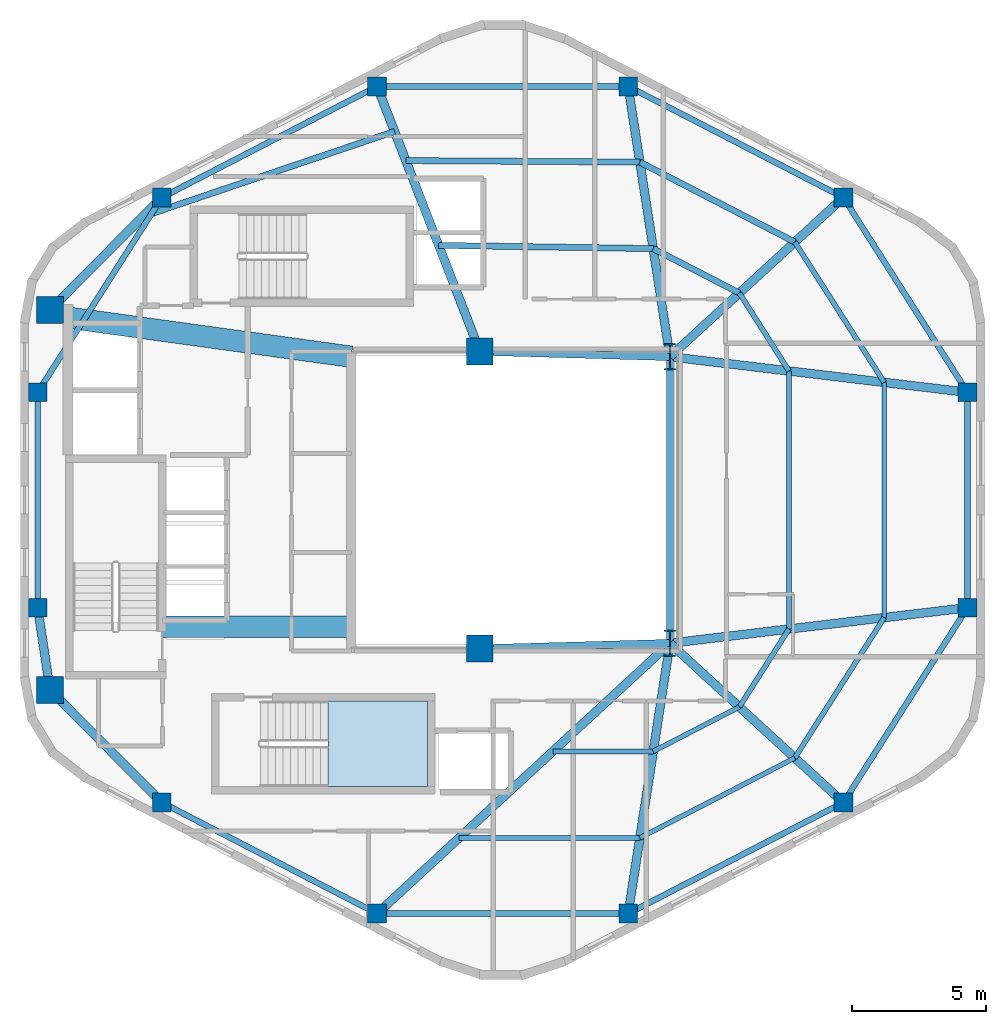
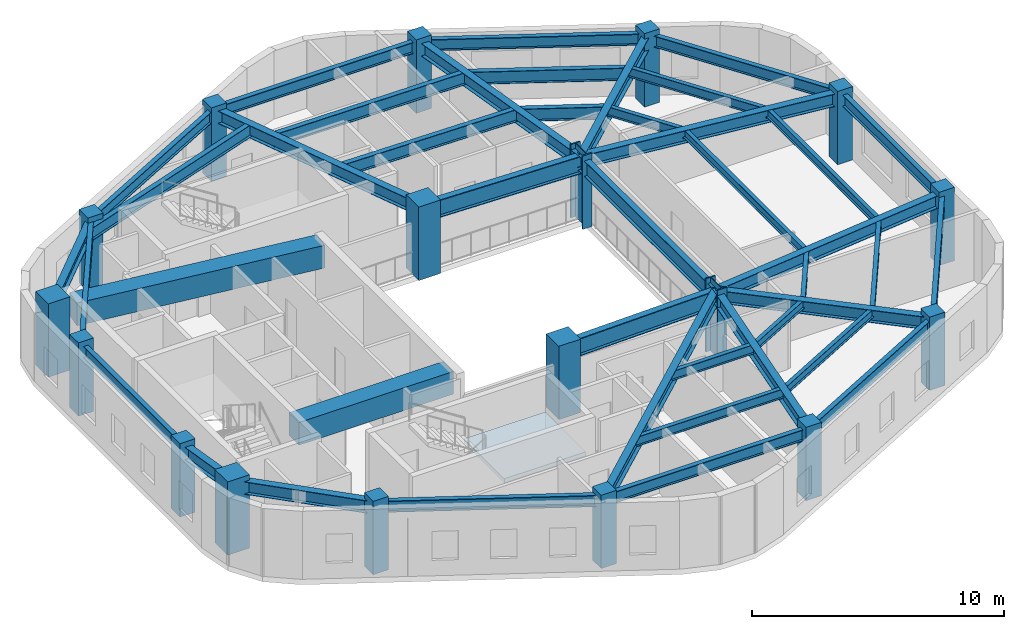
# One storey, part 1 of 6: 42 beams, 18 columns, 1 slab, 1 element without a shape of its own.
"""IFC4 building model written with IfcOpenShell, lengths in metres."""

import ifcopenshell
import ifcopenshell.guid

model = None  # the IFC model being written
_history = None  # IfcOwnerHistory: only IFC2X3 demands one
_inside = {}  # id of a spatial element -> (the spatial element, [elements in it])
_under = {}  # id of a project, library or spatial element -> (it, [spatial elements below it])
_declared = {}  # id of a project -> (the project, [libraries it declares])
_typed = {}  # id of a type object -> (the type object, [elements of that type])
_made_of = {}  # id of a material, layer set ... -> (it, [elements and type objects made of it])


def new_model(schema):
    """Start an empty IFC model of exactly this schema.

    Asked for "IFC4X3", IfcOpenShell would pick the latest addendum, in which some entities
    have other attributes; the version numbers below select the first issue.
    IFC2X3 requires an IfcOwnerHistory on every rooted entity: one is made here for all.
    """
    global model, _history
    if schema == "IFC4X3":
        model = ifcopenshell.file(schema_version=(4, 3, 0, 0))
    else:
        model = ifcopenshell.file(schema=schema)
    _inside.clear()
    _under.clear()
    _declared.clear()
    _typed.clear()
    _made_of.clear()
    _history = None
    if model.schema == "IFC2X3":
        org = make("IfcOrganization", Name="unknown")
        user = make(
            "IfcPersonAndOrganization",
            ThePerson=make("IfcPerson", FamilyName="unknown"),
            TheOrganization=org,
        )
        app = make(
            "IfcApplication",
            ApplicationDeveloper=org,
            Version="unknown",
            ApplicationFullName="unknown",
            ApplicationIdentifier="unknown",
        )
        _history = make(
            "IfcOwnerHistory",
            OwningUser=user,
            OwningApplication=app,
            ChangeAction="ADDED",
            CreationDate=0,
        )
    return model


def make(cls, **values):
    """One entity of the class cls with the attributes given. An attribute that is None is left unset."""
    return model.create_entity(
        cls, **{name: value for name, value in values.items() if value is not None}
    )


def rooted(cls, **values):
    """An entity with a GlobalId (a new one), such as an element, a storey or a relation."""
    return make(cls, GlobalId=ifcopenshell.guid.new(), OwnerHistory=_history, **values)


def si_unit(unit_type, name, prefix=None):
    """IfcSIUnit, for example si_unit("LENGTHUNIT", "METRE", prefix="MILLI")."""
    return make("IfcSIUnit", UnitType=unit_type, Prefix=prefix, Name=name)


def assignment(units):
    """IfcUnitAssignment: the units of a project."""
    return None if units is None else make("IfcUnitAssignment", Units=units)


def point(xyz):
    """IfcCartesianPoint."""
    return None if xyz is None else make("IfcCartesianPoint", Coordinates=xyz)


def direction(xyz):
    """IfcDirection."""
    return None if xyz is None else make("IfcDirection", DirectionRatios=xyz)


def frame(location, z_axis=None, x_axis=None):
    """IfcAxis2Placement3D, a coordinate frame: its origin and axes. An axis left out is left unset."""
    return make(
        "IfcAxis2Placement3D",
        Location=point(location),
        Axis=direction(z_axis),
        RefDirection=direction(x_axis),
    )


def frame_2d(location, x_axis=None):
    """IfcAxis2Placement2D, a coordinate frame in the plane: its origin and x axis."""
    return make(
        "IfcAxis2Placement2D", Location=point(location), RefDirection=direction(x_axis)
    )


def origin():
    """The frame at (0, 0, 0) with its axes left unset."""
    return frame((0.0, 0.0, 0.0))


def origin_2d():
    """The frame at (0, 0) in the plane with its x axis left unset."""
    return frame_2d((0.0, 0.0))


def place(relative_to, where):
    """IfcLocalPlacement: puts the frame where relative to a parent placement (None: the world)."""
    return make(
        "IfcLocalPlacement", PlacementRelTo=relative_to, RelativePlacement=where
    )


def context(
    kind, dimensions, precision=None, world=None, true_north=None, identifier=None
):
    """IfcGeometricRepresentationContext, for example the 3D "Model" context."""
    return make(
        "IfcGeometricRepresentationContext",
        ContextIdentifier=identifier,
        ContextType=kind,
        CoordinateSpaceDimension=dimensions,
        Precision=precision,
        WorldCoordinateSystem=world,
        TrueNorth=true_north,
    )


def subcontext(parent, identifier, kind, view, scale=None):
    """IfcGeometricRepresentationSubContext, for example "Body" below "Model"."""
    return make(
        "IfcGeometricRepresentationSubContext",
        ContextIdentifier=identifier,
        ContextType=kind,
        ParentContext=parent,
        TargetScale=scale,
        TargetView=view,
    )


def project(units=None, contexts=None):
    """IfcProject with its units and contexts."""
    return rooted(
        "IfcProject",
        Name="project",
        RepresentationContexts=contexts,
        UnitsInContext=assignment(units),
    )


def spatial(cls, under=None, at=None, **own):
    """A site, building, storey or space (cls), placed at a placement, below another one or the project."""
    s = rooted(cls, ObjectPlacement=at, **own)
    if under is not None:
        _under.setdefault(under.id(), (under, []))[1].append(s)
    return s


def polyline(points):
    """IfcPolyline through the points."""
    return make("IfcPolyline", Points=[point(p) for p in points])


def profile(cls, at=None, kind="AREA", **sizes):
    """A parametric profile (cls). Its sizes go by their IFC names, for example OverallWidth=200.0."""
    return make(cls, ProfileType=kind, Position=at, **sizes)


def rectangle(**sizes):
    """IfcRectangleProfileDef."""
    return profile("IfcRectangleProfileDef", **sizes)


def i_section(**sizes):
    """IfcIShapeProfileDef."""
    return profile("IfcIShapeProfileDef", **sizes)


def outline(outer, holes=None, kind="AREA"):
    """IfcArbitraryClosedProfileDef: a profile drawn as a closed curve; with holes, ...WithVoids."""
    if holes is None:
        return make("IfcArbitraryClosedProfileDef", ProfileType=kind, OuterCurve=outer)
    return make(
        "IfcArbitraryProfileDefWithVoids",
        ProfileType=kind,
        OuterCurve=outer,
        InnerCurves=holes,
    )


def extrude(swept, where, along, depth):
    """IfcExtrudedAreaSolid: the profile swept, set in the frame where, extruded along a direction by depth."""
    return make(
        "IfcExtrudedAreaSolid",
        SweptArea=swept,
        Position=where,
        ExtrudedDirection=direction(along),
        Depth=depth,
    )


def shape(context_of_items, identifier, shape_type, items):
    """IfcShapeRepresentation: the items that make up one representation, for example the "Body"."""
    return make(
        "IfcShapeRepresentation",
        ContextOfItems=context_of_items,
        RepresentationIdentifier=identifier,
        RepresentationType=shape_type,
        Items=items,
    )


def material(Name=None, Category=None):
    """IfcMaterial."""
    return make("IfcMaterial", Name=Name, Category=Category)


def layer(
    of_material, thickness, ventilated=None, Name=None, Category=None, Priority=None
):
    """IfcMaterialLayer: one layer of a wall or slab, of a material (None: an air gap)."""
    return make(
        "IfcMaterialLayer",
        Material=of_material,
        LayerThickness=thickness,
        IsVentilated=ventilated,
        Name=Name,
        Category=Category,
        Priority=Priority,
    )


def layer_set(layers, Name=None):
    """IfcMaterialLayerSet."""
    return make("IfcMaterialLayerSet", MaterialLayers=layers, LayerSetName=Name)


def material_profile(
    of_material, cross_section, Name=None, Category=None, Priority=None
):
    """IfcMaterialProfile: a cross section and its material."""
    return make(
        "IfcMaterialProfile",
        Name=Name,
        Material=of_material,
        Profile=cross_section,
        Priority=Priority,
        Category=Category,
    )


def profile_set(profiles, Name=None, composite=None):
    """IfcMaterialProfileSet."""
    return make(
        "IfcMaterialProfileSet",
        Name=Name,
        MaterialProfiles=profiles,
        CompositeProfile=composite,
    )


def made_of(thing, what):
    """Note that an element or type object is made of a material, layer set ...; save() writes the relation."""
    if what is not None:
        _made_of.setdefault(what.id(), (what, []))[1].append(thing)
    return thing


def type_object(cls, material=None, **own):
    """A type object (cls), such as IfcWallType, which elements share."""
    return made_of(rooted(cls, **own), material)


def element(
    cls,
    number,
    at=None,
    inside=None,
    cuts=None,
    type_object=None,
    material=None,
    context=None,
    identifier="Body",
    shape_type=None,
    held_by="IfcProductDefinitionShape",
    body=None,
    shapes=None,
    **own,
):
    """One element of the class cls, such as IfcWall. Its Tag is "e" and its number.

    at: its placement. inside: the storey or other place that contains it. cuts: it is an
    opening in that element (IfcRelVoidsElement). A single representation is given by context,
    identifier, shape_type and body (its items); several are given by shapes. held_by: the class
    of the entity that holds the representations. save() writes the other relations.
    """
    e = rooted(cls, Tag="e%d" % number, ObjectPlacement=at, **own)
    if body is not None:
        shapes = [shape(context, identifier, shape_type, body)]
    if shapes is not None:
        e.Representation = make(held_by, Representations=shapes)
    if inside is not None:
        _inside.setdefault(inside.id(), (inside, []))[1].append(e)
    if cuts is not None:
        rooted(
            "IfcRelVoidsElement", RelatingBuildingElement=cuts, RelatedOpeningElement=e
        )
    if type_object is not None:
        _typed.setdefault(type_object.id(), (type_object, []))[1].append(e)
    return made_of(e, material)


def aggregate(whole, parts):
    """IfcRelAggregates: a whole, such as a stair, and the parts it consists of."""
    return rooted("IfcRelAggregates", RelatingObject=whole, RelatedObjects=parts)


def save(model, path):
    """Write the relations noted so far, then the file.

    IfcRelAggregates (storeys below a building ...), IfcRelContainedInSpatialStructure (elements
    in a storey), IfcRelDefinesByType, IfcRelAssociatesMaterial and IfcRelDeclares: one each for
    every whole, place, type object, material and project.
    """
    for whole, parts in _under.values():
        aggregate(whole, parts)
    for where, things in _inside.values():
        rooted(
            "IfcRelContainedInSpatialStructure",
            RelatedElements=things,
            RelatingStructure=where,
        )
    for kind, things in _typed.values():
        rooted("IfcRelDefinesByType", RelatedObjects=things, RelatingType=kind)
    for what, things in _made_of.values():
        rooted("IfcRelAssociatesMaterial", RelatedObjects=things, RelatingMaterial=what)
    for by, libraries in _declared.values():
        rooted("IfcRelDeclares", RelatingContext=by, RelatedDefinitions=libraries)
    model.write(path)


model = new_model("IFC4")

# Units and contexts
model_context = context("Model", 3, precision=1e-05, world=origin(), true_north=direction((0.0, 1.0)))
body_context = subcontext(model_context, "Body", "Model", "MODEL_VIEW")
ifc_project = project(units=[si_unit("LENGTHUNIT", "METRE"), si_unit("AREAUNIT", "SQUARE_METRE"), si_unit("VOLUMEUNIT", "CUBIC_METRE"), si_unit("PLANEANGLEUNIT", "RADIAN"), si_unit("MASSUNIT", "GRAM", prefix="KILO"), si_unit("THERMODYNAMICTEMPERATUREUNIT", "KELVIN"), si_unit("POWERUNIT", "WATT")], contexts=[model_context])

# Site, building, storey
site_placement = place(None, origin())
site = spatial("IfcSite", under=ifc_project, at=site_placement, CompositionType="ELEMENT")
building_placement = place(site_placement, origin())
building = spatial("IfcBuilding", under=site, at=building_placement, Name="Skarre Station Tower", CompositionType="ELEMENT")
storey_placement = place(building_placement, frame((0.0, 0.0, 259.64990234375)))
storey = spatial("IfcBuildingStorey", under=building, at=storey_placement, Name="L71", CompositionType="ELEMENT", Elevation=259.64990234375)

# Columns
ifc_material_1 = material(Name="Concrete C60/75", Category="concrete")
ifc_material_profile_1 = material_profile(ifc_material_1, rectangle(XDim=1.0, YDim=1.0, at=origin_2d()), Name="Concrete C60/75")
ifc_profile_set_1 = profile_set([ifc_material_profile_1], Name="Concrete C60/75")
column_type_1 = type_object("IfcColumnType", Name="RC Structural Column RC-COL-1000X1000", PredefinedType="COLUMN", material=ifc_profile_set_1)
for number, where, z_axis, x_axis, name in (
    (1, (16.300048828125, 16.89990234375, 0.0), (0.0, 0.0, 1.0), (1.0, 0.0, 0.0), "L71 Core Column CC-SW"),
    (2, (16.300048828125, 31.10009765625, 0.0), (0.0, 0.0, 1.0), (1.0, 0.0, 0.0), "L71 Core Column CC-NW"),
    (3, (32.35009765625, 18.449951171875, 0.0), (0.0, 0.0, 1.0), (1.0, 0.0, 0.0), "L71 Core Column CC-SE"),
    (4, (32.35009765625, 29.550048828125, 0.0), (0.0, 0.0, 1.0), (1.0, 0.0, 0.0), "L71 Core Column CC-NE"),
):
    element("IfcColumn", number, at=place(storey_placement, frame(where, z_axis=z_axis, x_axis=x_axis)), inside=storey, type_object=column_type_1, Name=name, PredefinedType="COLUMN", context=body_context, shape_type="SweptSolid", body=[
        extrude(rectangle(XDim=1.0, YDim=1.0, at=origin_2d()), origin(), (0.0, 0.0, 1.0), 3.550048828125),
    ])
ifc_material_2 = material(Name="Concrete C50/60", Category="concrete")
ifc_material_profile_2 = material_profile(ifc_material_2, rectangle(XDim=0.699951171875, YDim=0.699951171875, at=origin_2d()), Name="Concrete C50/60")
ifc_profile_set_2 = profile_set([ifc_material_profile_2], Name="Concrete C50/60")
column_type_2 = type_object("IfcColumnType", Name="RC Structural Column RC-COL-700X700", PredefinedType="COLUMN", material=ifc_profile_set_2)
for number, where, z_axis, x_axis, name in (
    (5, (45.927001953125, 35.298095703125, 0.0), (0.0, 0.0, 1.0), (1.0, 0.0, 0.0), "L71 Zone 4 Perimeter Column F0C1"),
    (6, (37.888916015625, 39.447021484375, 0.0), (0.0, 0.0, 1.0), (1.0, 0.0, 0.0), "L71 Zone 4 Perimeter Column F0C2"),
    (7, (28.510986328125, 39.447021484375, 0.0), (0.0, 0.0, 1.0), (1.0, 0.0, 0.0), "L71 Zone 4 Perimeter Column F1C1"),
    (8, (20.472900390625, 35.298095703125, 0.0), (0.0, 0.0, 1.0), (1.0, 0.0, 0.0), "L71 Zone 4 Perimeter Column F1C2"),
    (9, (15.8369140625, 28.02099609375, 0.0), (0.0, 0.0, 1.0), (1.0, 0.0, 0.0), "L71 Zone 4 Perimeter Column F2C1"),
    (10, (15.8369140625, 19.97900390625, 0.0), (0.0, 0.0, 1.0), (1.0, 0.0, 0.0), "L71 Zone 4 Perimeter Column F2C2"),
    (11, (20.472900390625, 12.701904296875, 0.0), (0.0, 0.0, 1.0), (1.0, 0.0, 0.0), "L71 Zone 4 Perimeter Column F3C1"),
    (12, (28.510986328125, 8.552978515625, 0.0), (0.0, 0.0, 1.0), (1.0, 0.0, 0.0), "L71 Zone 4 Perimeter Column F3C2"),
    (13, (37.888916015625, 8.552978515625, 0.0), (0.0, 0.0, 1.0), (1.0, 0.0, 0.0), "L71 Zone 4 Perimeter Column F4C1"),
    (14, (45.927001953125, 12.701904296875, 0.0), (0.0, 0.0, 1.0), (1.0, 0.0, 0.0), "L71 Zone 4 Perimeter Column F4C2"),
    (15, (50.56298828125, 19.97900390625, 0.0), (0.0, 0.0, 1.0), (1.0, 0.0, 0.0), "L71 Zone 4 Perimeter Column F5C1"),
    (16, (50.56298828125, 28.02099609375, 0.0), (0.0, 0.0, 1.0), (1.0, 0.0, 0.0), "L71 Zone 4 Perimeter Column F5C2"),
):
    element("IfcColumn", number, at=place(storey_placement, frame(where, z_axis=z_axis, x_axis=x_axis)), inside=storey, type_object=column_type_2, Name=name, PredefinedType="COLUMN", context=body_context, shape_type="SweptSolid", body=[
        extrude(rectangle(XDim=0.699951171875, YDim=0.699951171875, at=origin_2d()), origin(), (0.0, 0.0, 1.0), 3.550048828125),
    ])
ifc_material_3 = material(Name="Steel ASTM A913 Grade 65", Category="steel")
ifc_material_profile_3 = material_profile(ifc_material_3, i_section(OverallWidth=0.430908203125, OverallDepth=0.987060546875, WebThickness=0.033935546875, FlangeThickness=0.06201171875, at=origin_2d()), Name="Steel ASTM A913 Grade 65")
ifc_profile_set_3 = profile_set([ifc_material_profile_3], Name="Steel ASTM A913 Grade 65")
column_type_3 = type_object("IfcColumnType", Name="Steel Column W36X441", PredefinedType="COLUMN", material=ifc_profile_set_3)
for number, where, z_axis, x_axis, name in (
    (17, (39.449951171875, 18.64990234375, 0.0), (0.0, 0.0, 1.0), (1.0, 0.0, 0.0), "L71 Atrium Spine Column AC-SE"),
    (18, (39.449951171875, 29.35009765625, 0.0), (0.0, 0.0, 1.0), (1.0, 0.0, 0.0), "L71 Atrium Spine Column AC-NE"),
):
    element("IfcColumn", number, at=place(storey_placement, frame(where, z_axis=z_axis, x_axis=x_axis)), inside=storey, type_object=column_type_3, Name=name, PredefinedType="COLUMN", context=body_context, shape_type="SweptSolid", body=[
        extrude(i_section(OverallWidth=0.430908203125, OverallDepth=0.987060546875, WebThickness=0.033935546875, FlangeThickness=0.06201171875, at=origin_2d()), origin(), (0.0, 0.0, 1.0), 3.550048828125),
    ])

# Beams
ifc_material_4 = material(Name="Concrete C70/85", Category="concrete")
ifc_material_profile_4 = material_profile(ifc_material_4, rectangle(XDim=0.800048828125, YDim=1.10009765625, at=origin_2d()), Name="Concrete C70/85")
ifc_profile_set_4 = profile_set([ifc_material_profile_4], Name="Concrete C70/85")
beam_type_1 = type_object("IfcBeamType", Name="RC Core Coupling Lintel 800x1100", PredefinedType="LINTEL", material=ifc_profile_set_4)
beam_1_placement = place(storey_placement, frame((20.489990234375, 19.260009765625, 2.739990234375), z_axis=(1.0, 0.0, 0.0), x_axis=(0.0, 1.0, 0.0)))
element("IfcBeam", 19, at=beam_1_placement, inside=storey, type_object=beam_type_1, Name="L71 South Core Coupling Lintel", PredefinedType="LINTEL", context=body_context, shape_type="SweptSolid", body=[
    extrude(rectangle(XDim=0.800048828125, YDim=1.10009765625, at=origin_2d()), origin(), (0.0, 0.0, 1.0), 7.06005859375),
])
beam_2_placement = place(storey_placement, frame((17.050048828125, 30.800048828125, 2.739990234375), z_axis=(0.990599723633, -0.136792498109, 0.0), x_axis=(0.136792498109, 0.990599723633, 0.0)))
element("IfcBeam", 20, at=beam_2_placement, inside=storey, type_object=beam_type_1, Name="L71 North Core Coupling Lintel", PredefinedType="LINTEL", context=body_context, shape_type="SweptSolid", body=[
    extrude(rectangle(XDim=0.800048828125, YDim=1.10009765625, at=origin_2d()), origin(), (0.0, 0.0, 1.0), 10.599609375),
])
ifc_material_5 = material(Name="Steel ASTM A992 Grade 50", Category="steel")
ifc_material_profile_5 = material_profile(ifc_material_5, i_section(OverallWidth=0.323974609375, OverallDepth=0.611083984375, WebThickness=0.012939453125, FlangeThickness=0.01904296875, at=origin_2d()), Name="Steel ASTM A992 Grade 50")
ifc_profile_set_5 = profile_set([ifc_material_profile_5], Name="Steel ASTM A992 Grade 50")
beam_type_2 = type_object("IfcBeamType", Name="Steel Beam W24X104", PredefinedType="BEAM", material=ifc_profile_set_5)
beam_3_placement = place(storey_placement, frame((39.449951171875, 29.35009765625, 2.985107421875), z_axis=(0.736547671183, 0.676385635621, 0.0), x_axis=(-0.676385635621, 0.736547671183, 0.0)))
element("IfcBeam", 21, at=beam_3_placement, inside=storey, type_object=beam_type_2, Name="L71 Radial Floor Girder F0C1", PredefinedType="BEAM", context=body_context, shape_type="SweptSolid", body=[
    extrude(i_section(OverallWidth=0.323974609375, OverallDepth=0.611083984375, WebThickness=0.012939453125, FlangeThickness=0.01904296875, at=origin_2d()), origin(), (0.0, 0.0, 1.0), 8.793701171875),
])
beam_4_placement = place(storey_placement, frame((39.449951171875, 29.35009765625, 2.985107421875), z_axis=(-0.152789762931, 0.988258715288, 0.0), x_axis=(-0.988258715288, -0.152789762931, 0.0)))
element("IfcBeam", 22, at=beam_4_placement, inside=storey, type_object=beam_type_2, Name="L71 Radial Floor Girder F0C2", PredefinedType="BEAM", context=body_context, shape_type="SweptSolid", body=[
    extrude(i_section(OverallWidth=0.323974609375, OverallDepth=0.611083984375, WebThickness=0.012939453125, FlangeThickness=0.01904296875, at=origin_2d()), origin(), (0.0, 0.0, 1.0), 10.216796875),
])
beam_5_placement = place(storey_placement, frame((32.35009765625, 29.550048828125, 2.985107421875), z_axis=(-0.361651478681, 0.932313363611, 0.0), x_axis=(-0.932313363611, -0.361651478681, 0.0)))
element("IfcBeam", 23, at=beam_5_placement, inside=storey, type_object=beam_type_2, Name="L71 Radial Floor Girder F1C1", PredefinedType="BEAM", context=body_context, shape_type="SweptSolid", body=[
    extrude(i_section(OverallWidth=0.323974609375, OverallDepth=0.611083984375, WebThickness=0.012939453125, FlangeThickness=0.01904296875, at=origin_2d()), origin(), (0.0, 0.0, 1.0), 10.615478515625),
])
beam_6_placement = place(storey_placement, frame((16.300048828125, 31.10009765625, 2.985107421875), z_axis=(0.704979413242, 0.709227768002, 0.0), x_axis=(-0.709227768002, 0.704979413242, 0.0)))
element("IfcBeam", 24, at=beam_6_placement, inside=storey, type_object=beam_type_2, Name="L71 Radial Floor Girder F1C2", PredefinedType="BEAM", context=body_context, shape_type="SweptSolid", body=[
    extrude(i_section(OverallWidth=0.323974609375, OverallDepth=0.611083984375, WebThickness=0.012939453125, FlangeThickness=0.01904296875, at=origin_2d()), origin(), (0.0, 0.0, 1.0), 5.919189453125),
])
beam_7_placement = place(storey_placement, frame((16.300048828125, 16.89990234375, 2.985107421875), z_axis=(-0.148739188492, 0.988876460336, 0.0), x_axis=(-0.988876460336, -0.148739188492, 0.0)))
element("IfcBeam", 25, at=beam_7_placement, inside=storey, type_object=beam_type_2, Name="L71 Radial Floor Girder F2C2", PredefinedType="BEAM", context=body_context, shape_type="SweptSolid", body=[
    extrude(i_section(OverallWidth=0.323974609375, OverallDepth=0.611083984375, WebThickness=0.012939453125, FlangeThickness=0.01904296875, at=origin_2d()), origin(), (0.0, 0.0, 1.0), 3.11376953125),
])
beam_8_placement = place(storey_placement, frame((16.300048828125, 16.89990234375, 2.985107421875), z_axis=(0.704979413242, -0.709227768002, 0.0), x_axis=(0.709227768002, 0.704979413242, 0.0)))
element("IfcBeam", 26, at=beam_8_placement, inside=storey, type_object=beam_type_2, Name="L71 Radial Floor Girder F3C1", PredefinedType="BEAM", context=body_context, shape_type="SweptSolid", body=[
    extrude(i_section(OverallWidth=0.323974609375, OverallDepth=0.611083984375, WebThickness=0.012939453125, FlangeThickness=0.01904296875, at=origin_2d()), origin(), (0.0, 0.0, 1.0), 5.919189453125),
])
beam_9_placement = place(storey_placement, frame((39.449951171875, 18.64990234375, 2.985107421875), z_axis=(-0.734822935818, -0.678258986668, 0.0), x_axis=(0.678258986668, -0.734822935818, 0.0)))
element("IfcBeam", 27, at=beam_9_placement, inside=storey, type_object=beam_type_2, Name="L71 Radial Floor Girder F3C2", PredefinedType="BEAM", context=body_context, shape_type="SweptSolid", body=[
    extrude(i_section(OverallWidth=0.323974609375, OverallDepth=0.611083984375, WebThickness=0.012939453125, FlangeThickness=0.01904296875, at=origin_2d()), origin(), (0.0, 0.0, 1.0), 14.886474609375),
])
beam_10_placement = place(storey_placement, frame((39.449951171875, 18.64990234375, 2.985107421875), z_axis=(-0.152789762931, -0.988258715288, 0.0), x_axis=(0.988258715288, -0.152789762931, 0.0)))
element("IfcBeam", 28, at=beam_10_placement, inside=storey, type_object=beam_type_2, Name="L71 Radial Floor Girder F4C1", PredefinedType="BEAM", context=body_context, shape_type="SweptSolid", body=[
    extrude(i_section(OverallWidth=0.323974609375, OverallDepth=0.611083984375, WebThickness=0.012939453125, FlangeThickness=0.01904296875, at=origin_2d()), origin(), (0.0, 0.0, 1.0), 10.216796875),
])
beam_11_placement = place(storey_placement, frame((39.449951171875, 18.64990234375, 2.985107421875), z_axis=(0.736547671183, -0.676385635621, 0.0), x_axis=(0.676385635621, 0.736547671183, 0.0)))
element("IfcBeam", 29, at=beam_11_placement, inside=storey, type_object=beam_type_2, Name="L71 Radial Floor Girder F4C2", PredefinedType="BEAM", context=body_context, shape_type="SweptSolid", body=[
    extrude(i_section(OverallWidth=0.323974609375, OverallDepth=0.611083984375, WebThickness=0.012939453125, FlangeThickness=0.01904296875, at=origin_2d()), origin(), (0.0, 0.0, 1.0), 8.793701171875),
])
for number, where, z_axis, x_axis, name in (
    (30, (39.449951171875, 18.64990234375, 2.985107421875), (0.99292393128, 0.118752122891, 0.0), (-0.118752122891, 0.99292393128, 0.0), "L71 Radial Floor Girder F5C1"),
    (31, (39.449951171875, 29.35009765625, 2.985107421875), (0.99292393128, -0.118752122891, 0.0), (0.118752122891, 0.99292393128, 0.0), "L71 Radial Floor Girder F5C2"),
):
    element("IfcBeam", number, at=place(storey_placement, frame(where, z_axis=z_axis, x_axis=x_axis)), inside=storey, type_object=beam_type_2, Name=name, PredefinedType="BEAM", context=body_context, shape_type="SweptSolid", body=[
        extrude(i_section(OverallWidth=0.323974609375, OverallDepth=0.611083984375, WebThickness=0.012939453125, FlangeThickness=0.01904296875, at=origin_2d()), origin(), (0.0, 0.0, 1.0), 11.192138671875),
    ])
ifc_material_profile_6 = material_profile(ifc_material_5, i_section(OverallWidth=0.26806640625, OverallDepth=0.77001953125, WebThickness=0.01611328125, FlangeThickness=0.02490234375, at=origin_2d()), Name="Steel ASTM A992 Grade 50")
ifc_profile_set_6 = profile_set([ifc_material_profile_6], Name="Steel ASTM A992 Grade 50")
beam_type_3 = type_object("IfcBeamType", Name="Steel Beam W30X132", PredefinedType="BEAM", material=ifc_profile_set_6)
beam_12_placement = place(storey_placement, frame((39.449951171875, 18.64990234375, 2.905029296875), z_axis=(0.0, 1.0, 0.0), x_axis=(-1.0, 0.0, 0.0)))
element("IfcBeam", 32, at=beam_12_placement, inside=storey, type_object=beam_type_3, Name="L71 Atrium East Edge Girder", PredefinedType="BEAM", context=body_context, shape_type="SweptSolid", body=[
    extrude(i_section(OverallWidth=0.26806640625, OverallDepth=0.77001953125, WebThickness=0.01611328125, FlangeThickness=0.02490234375, at=origin_2d()), origin(), (0.0, 0.0, 1.0), 10.7001953125),
])
ifc_material_profile_7 = material_profile(ifc_material_5, i_section(OverallWidth=0.2919921875, OverallDepth=0.85888671875, WebThickness=0.01708984375, FlangeThickness=0.031005859375, at=origin_2d()), Name="Steel ASTM A992 Grade 50")
ifc_profile_set_7 = profile_set([ifc_material_profile_7], Name="Steel ASTM A992 Grade 50")
beam_type_4 = type_object("IfcBeamType", Name="Steel Beam W33X169", PredefinedType="BEAM", material=ifc_profile_set_7)
for number, where, z_axis, x_axis, name in (
    (33, (32.35009765625, 18.449951171875, 2.860107421875), (0.999603666405, 0.028151556095, 0.0), (-0.028151556095, 0.999603666405, 0.0), "L71 Atrium South Edge Girder"),
    (34, (32.35009765625, 29.550048828125, 2.860107421875), (0.999603666405, -0.028151556095, 0.0), (0.028151556095, 0.999603666405, 0.0), "L71 Atrium North Edge Girder"),
):
    element("IfcBeam", number, at=place(storey_placement, frame(where, z_axis=z_axis, x_axis=x_axis)), inside=storey, type_object=beam_type_4, Name=name, PredefinedType="BEAM", context=body_context, shape_type="SweptSolid", body=[
        extrude(i_section(OverallWidth=0.2919921875, OverallDepth=0.85888671875, WebThickness=0.01708984375, FlangeThickness=0.031005859375, at=origin_2d()), origin(), (0.0, 0.0, 1.0), 7.102783203125),
    ])
ifc_material_profile_8 = material_profile(ifc_material_5, i_section(OverallWidth=0.177978515625, OverallDepth=0.403076171875, WebThickness=0.008056640625, FlangeThickness=0.010986328125, at=origin_2d()), Name="Steel ASTM A992 Grade 50")
ifc_profile_set_8 = profile_set([ifc_material_profile_8], Name="Steel ASTM A992 Grade 50")
beam_type_5 = type_object("IfcBeamType", Name="Steel Joist W16X36", PredefinedType="JOIST", material=ifc_profile_set_8)
beam_13_placement = place(storey_placement, frame((38.825927734375, 14.611083984375, 3.088134765625), z_axis=(0.888562989562, 0.458754633308, 0.0), x_axis=(-0.458754633308, 0.888562989562, 0.0)))
element("IfcBeam", 35, at=beam_13_placement, inside=storey, type_object=beam_type_5, Name="L71 Auxiliary Composite Joist 11", PredefinedType="JOIST", context=body_context, shape_type="SweptSolid", body=[
    extrude(i_section(OverallWidth=0.177978515625, OverallDepth=0.403076171875, WebThickness=0.008056640625, FlangeThickness=0.010986328125, at=origin_2d()), origin(), (0.0, 0.0, 1.0), 3.618408203125),
])
beam_14_placement = place(storey_placement, frame((38.325927734375, 11.3798828125, 3.088134765625), z_axis=(0.888610306875, 0.458662972689, 0.0), x_axis=(-0.458662972689, 0.888610306875, 0.0)))
element("IfcBeam", 36, at=beam_14_placement, inside=storey, type_object=beam_type_5, Name="L71 Auxiliary Composite Joist 12", PredefinedType="JOIST", context=body_context, shape_type="SweptSolid", body=[
    extrude(i_section(OverallWidth=0.177978515625, OverallDepth=0.403076171875, WebThickness=0.008056640625, FlangeThickness=0.010986328125, at=origin_2d()), origin(), (0.0, 0.0, 1.0), 6.512451171875),
])
beam_15_placement = place(storey_placement, frame((43.89501953125, 19.181884765625, 3.088134765625), z_axis=(0.0, 1.0, 0.0), x_axis=(-1.0, 0.0, 0.0)))
element("IfcBeam", 37, at=beam_15_placement, inside=storey, type_object=beam_type_5, Name="L71 Auxiliary Composite Joist 15", PredefinedType="JOIST", context=body_context, shape_type="SweptSolid", body=[
    extrude(i_section(OverallWidth=0.177978515625, OverallDepth=0.403076171875, WebThickness=0.008056640625, FlangeThickness=0.010986328125, at=origin_2d()), origin(), (0.0, 0.0, 1.0), 9.63623046875),
])
beam_16_placement = place(storey_placement, frame((47.450927734375, 19.60693359375, 3.088134765625), z_axis=(0.0, 1.0, 0.0), x_axis=(-1.0, 0.0, 0.0)))
element("IfcBeam", 38, at=beam_16_placement, inside=storey, type_object=beam_type_5, Name="L71 Auxiliary Composite Joist 16", PredefinedType="JOIST", context=body_context, shape_type="SweptSolid", body=[
    extrude(i_section(OverallWidth=0.177978515625, OverallDepth=0.403076171875, WebThickness=0.008056640625, FlangeThickness=0.010986328125, at=origin_2d()), origin(), (0.0, 0.0, 1.0), 8.7861328125),
])
ifc_material_profile_9 = material_profile(ifc_material_5, i_section(OverallWidth=0.19091796875, OverallDepth=0.45703125, WebThickness=0.009033203125, FlangeThickness=0.013916015625, at=origin_2d()), Name="Steel ASTM A992 Grade 50")
ifc_profile_set_9 = profile_set([ifc_material_profile_9], Name="Steel ASTM A992 Grade 50")
beam_type_6 = type_object("IfcBeamType", Name="Steel Joist W18X50", PredefinedType="JOIST", material=ifc_profile_set_9)
beam_17_placement = place(storey_placement, frame((35.073974609375, 14.611083984375, 3.06201171875), z_axis=(1.0, 0.0, 0.0), x_axis=(0.0, 1.0, 0.0)))
element("IfcBeam", 39, at=beam_17_placement, inside=storey, type_object=beam_type_6, Name="L71 Auxiliary Composite Joist 9", PredefinedType="JOIST", context=body_context, shape_type="SweptSolid", body=[
    extrude(i_section(OverallWidth=0.19091796875, OverallDepth=0.45703125, WebThickness=0.009033203125, FlangeThickness=0.013916015625, at=origin_2d()), origin(), (0.0, 0.0, 1.0), 3.751953125),
])
beam_18_placement = place(storey_placement, frame((31.573974609375, 11.3798828125, 3.06201171875), z_axis=(1.0, 0.0, 0.0), x_axis=(0.0, 1.0, 0.0)))
element("IfcBeam", 40, at=beam_18_placement, inside=storey, type_object=beam_type_6, Name="L71 Auxiliary Composite Joist 10", PredefinedType="JOIST", context=body_context, shape_type="SweptSolid", body=[
    extrude(i_section(OverallWidth=0.19091796875, OverallDepth=0.45703125, WebThickness=0.009033203125, FlangeThickness=0.013916015625, at=origin_2d()), origin(), (0.0, 0.0, 1.0), 6.751953125),
])
beam_19_placement = place(storey_placement, frame((42.041015625, 16.27099609375, 3.06201171875), z_axis=(0.537209598798, 0.843448781468, 0.0), x_axis=(-0.843448781468, 0.537209598798, 0.0)))
element("IfcBeam", 41, at=beam_19_placement, inside=storey, type_object=beam_type_6, Name="L71 Auxiliary Composite Joist 13", PredefinedType="JOIST", context=body_context, shape_type="SweptSolid", body=[
    extrude(i_section(OverallWidth=0.19091796875, OverallDepth=0.45703125, WebThickness=0.009033203125, FlangeThickness=0.013916015625, at=origin_2d()), origin(), (0.0, 0.0, 1.0), 3.451171875),
])
beam_20_placement = place(storey_placement, frame((44.113037109375, 14.366943359375, 3.06201171875), z_axis=(0.537259384828, 0.843417069672, 0.0), x_axis=(-0.843417069672, 0.537259384828, 0.0)))
element("IfcBeam", 42, at=beam_20_placement, inside=storey, type_object=beam_type_6, Name="L71 Auxiliary Composite Joist 14", PredefinedType="JOIST", context=body_context, shape_type="SweptSolid", body=[
    extrude(i_section(OverallWidth=0.19091796875, OverallDepth=0.45703125, WebThickness=0.009033203125, FlangeThickness=0.013916015625, at=origin_2d()), origin(), (0.0, 0.0, 1.0), 6.212890625),
])
beam_21_placement = place(storey_placement, frame((43.89501953125, 28.818115234375, 3.06201171875), z_axis=(-0.537209598798, 0.843448781468, 0.0), x_axis=(-0.843448781468, -0.537209598798, 0.0)))
element("IfcBeam", 43, at=beam_21_placement, inside=storey, type_object=beam_type_6, Name="L71 Auxiliary Composite Joist 17", PredefinedType="JOIST", context=body_context, shape_type="SweptSolid", body=[
    extrude(i_section(OverallWidth=0.19091796875, OverallDepth=0.45703125, WebThickness=0.009033203125, FlangeThickness=0.013916015625, at=origin_2d()), origin(), (0.0, 0.0, 1.0), 3.451171875),
])
beam_22_placement = place(storey_placement, frame((47.450927734375, 28.39306640625, 3.06201171875), z_axis=(-0.537259384828, 0.843417069672, 0.0), x_axis=(-0.843417069672, -0.537259384828, 0.0)))
element("IfcBeam", 44, at=beam_22_placement, inside=storey, type_object=beam_type_6, Name="L71 Auxiliary Composite Joist 18", PredefinedType="JOIST", context=body_context, shape_type="SweptSolid", body=[
    extrude(i_section(OverallWidth=0.19091796875, OverallDepth=0.45703125, WebThickness=0.009033203125, FlangeThickness=0.013916015625, at=origin_2d()), origin(), (0.0, 0.0, 1.0), 6.212890625),
])
ifc_material_profile_10 = material_profile(ifc_material_5, i_section(OverallWidth=0.22802734375, OverallDepth=0.60791015625, WebThickness=0.010986328125, FlangeThickness=0.01708984375, at=origin_2d()), Name="Steel ASTM A992 Grade 50")
ifc_profile_set_10 = profile_set([ifc_material_profile_10], Name="Steel ASTM A992 Grade 50")
beam_type_7 = type_object("IfcBeamType", Name="Steel Joist W24X76", PredefinedType="JOIST", material=ifc_profile_set_10)
beam_23_placement = place(storey_placement, frame((42.041015625, 31.72900390625, 2.986083984375), z_axis=(-0.888562989562, 0.458754633308, 0.0), x_axis=(-0.458754633308, -0.888562989562, 0.0)))
element("IfcBeam", 45, at=beam_23_placement, inside=storey, type_object=beam_type_7, Name="L71 Secondary Floor Joist 1", PredefinedType="JOIST", context=body_context, shape_type="SweptSolid", body=[
    extrude(i_section(OverallWidth=0.22802734375, OverallDepth=0.60791015625, WebThickness=0.010986328125, FlangeThickness=0.01708984375, at=origin_2d()), origin(), (0.0, 0.0, 1.0), 3.618408203125),
])
beam_24_placement = place(storey_placement, frame((44.113037109375, 33.633056640625, 2.986083984375), z_axis=(-0.888610306875, 0.458662972689, 0.0), x_axis=(-0.458662972689, -0.888610306875, 0.0)))
element("IfcBeam", 46, at=beam_24_placement, inside=storey, type_object=beam_type_7, Name="L71 Secondary Floor Joist 2", PredefinedType="JOIST", context=body_context, shape_type="SweptSolid", body=[
    extrude(i_section(OverallWidth=0.22802734375, OverallDepth=0.60791015625, WebThickness=0.010986328125, FlangeThickness=0.01708984375, at=origin_2d()), origin(), (0.0, 0.0, 1.0), 6.512451171875),
])
beam_25_placement = place(storey_placement, frame((38.825927734375, 33.388916015625, 2.986083984375), z_axis=(-0.999887635467, 0.014990545042, 0.0), x_axis=(-0.014990545042, -0.999887635467, 0.0)))
element("IfcBeam", 47, at=beam_25_placement, inside=storey, type_object=beam_type_7, Name="L71 Secondary Floor Joist 3", PredefinedType="JOIST", context=body_context, shape_type="SweptSolid", body=[
    extrude(i_section(OverallWidth=0.22802734375, OverallDepth=0.60791015625, WebThickness=0.010986328125, FlangeThickness=0.01708984375, at=origin_2d()), origin(), (0.0, 0.0, 1.0), 8.012939453125),
])
beam_26_placement = place(storey_placement, frame((38.325927734375, 36.6201171875, 2.986083984375), z_axis=(-0.999979540932, 0.006396695854, 0.0), x_axis=(-0.006396695854, -0.999979540932, 0.0)))
element("IfcBeam", 48, at=beam_26_placement, inside=storey, type_object=beam_type_7, Name="L71 Secondary Floor Joist 4", PredefinedType="JOIST", context=body_context, shape_type="SweptSolid", body=[
    extrude(i_section(OverallWidth=0.22802734375, OverallDepth=0.60791015625, WebThickness=0.010986328125, FlangeThickness=0.01708984375, at=origin_2d()), origin(), (0.0, 0.0, 1.0), 8.740234375),
])
beam_27_placement = place(storey_placement, frame((29.1640625, 37.764892578125, 2.986083984375), z_axis=(-0.947236771085, -0.320534708736, 0.0), x_axis=(0.320534708736, -0.947236771085, 0.0)))
element("IfcBeam", 49, at=beam_27_placement, inside=storey, type_object=beam_type_7, Name="L71 Secondary Floor Joist 6", PredefinedType="JOIST", context=body_context, shape_type="SweptSolid", body=[
    extrude(i_section(OverallWidth=0.22802734375, OverallDepth=0.60791015625, WebThickness=0.010986328125, FlangeThickness=0.01708984375, at=origin_2d()), origin(), (0.0, 0.0, 1.0), 9.923828125),
])
ifc_material_profile_11 = material_profile(ifc_material_5, i_section(OverallWidth=0.214111328125, OverallDepth=0.549072265625, WebThickness=0.014892578125, FlangeThickness=0.02392578125, at=origin_2d()), Name="Steel ASTM A992 Grade 50")
ifc_profile_set_11 = profile_set([ifc_material_profile_11], Name="Steel ASTM A992 Grade 50")
beam_type_8 = type_object("IfcBeamType", Name="Steel Spandrel W21X93", PredefinedType="SPANDREL", material=ifc_profile_set_11)
beam_28_placement = place(storey_placement, frame((45.927001953125, 35.298095703125, 3.01611328125), z_axis=(-0.888610011727, 0.458663544505, 0.0), x_axis=(-0.458663544505, -0.888610011727, 0.0)))
element("IfcBeam", 50, at=beam_28_placement, inside=storey, type_object=beam_type_8, Name="L71 Facet Spandrel Beam 1", PredefinedType="SPANDREL", context=body_context, shape_type="SweptSolid", body=[
    extrude(i_section(OverallWidth=0.214111328125, OverallDepth=0.549072265625, WebThickness=0.014892578125, FlangeThickness=0.02392578125, at=origin_2d()), origin(), (0.0, 0.0, 1.0), 9.045654296875),
])
beam_29_placement = place(storey_placement, frame((37.888916015625, 39.447021484375, 3.01611328125), z_axis=(-1.0, 0.0, 0.0), x_axis=(0.0, -1.0, 0.0)))
element("IfcBeam", 51, at=beam_29_placement, inside=storey, type_object=beam_type_8, Name="L71 Facet Spandrel Beam 2", PredefinedType="SPANDREL", context=body_context, shape_type="SweptSolid", body=[
    extrude(i_section(OverallWidth=0.214111328125, OverallDepth=0.549072265625, WebThickness=0.014892578125, FlangeThickness=0.02392578125, at=origin_2d()), origin(), (0.0, 0.0, 1.0), 9.3779296875),
])
beam_30_placement = place(storey_placement, frame((28.510986328125, 39.447021484375, 3.01611328125), z_axis=(-0.888610011727, -0.458663544505, 0.0), x_axis=(0.458663544505, -0.888610011727, 0.0)))
element("IfcBeam", 52, at=beam_30_placement, inside=storey, type_object=beam_type_8, Name="L71 Facet Spandrel Beam 3", PredefinedType="SPANDREL", context=body_context, shape_type="SweptSolid", body=[
    extrude(i_section(OverallWidth=0.214111328125, OverallDepth=0.549072265625, WebThickness=0.014892578125, FlangeThickness=0.02392578125, at=origin_2d()), origin(), (0.0, 0.0, 1.0), 9.045654296875),
])
beam_31_placement = place(storey_placement, frame((20.472900390625, 35.298095703125, 3.01611328125), z_axis=(-0.537296523663, -0.843393410965, 0.0), x_axis=(0.843393410965, -0.537296523663, 0.0)))
element("IfcBeam", 53, at=beam_31_placement, inside=storey, type_object=beam_type_8, Name="L71 Facet Spandrel Beam 4", PredefinedType="SPANDREL", context=body_context, shape_type="SweptSolid", body=[
    extrude(i_section(OverallWidth=0.214111328125, OverallDepth=0.549072265625, WebThickness=0.014892578125, FlangeThickness=0.02392578125, at=origin_2d()), origin(), (0.0, 0.0, 1.0), 8.62841796875),
])
beam_32_placement = place(storey_placement, frame((15.8369140625, 28.02099609375, 3.01611328125), z_axis=(0.0, -1.0, 0.0), x_axis=(1.0, 0.0, 0.0)))
element("IfcBeam", 54, at=beam_32_placement, inside=storey, type_object=beam_type_8, Name="L71 Facet Spandrel Beam 5", PredefinedType="SPANDREL", context=body_context, shape_type="SweptSolid", body=[
    extrude(i_section(OverallWidth=0.214111328125, OverallDepth=0.549072265625, WebThickness=0.014892578125, FlangeThickness=0.02392578125, at=origin_2d()), origin(), (0.0, 0.0, 1.0), 8.0419921875),
])
beam_33_placement = place(storey_placement, frame((20.472900390625, 12.701904296875, 3.01611328125), z_axis=(0.888610011727, -0.458663544505, 0.0), x_axis=(0.458663544505, 0.888610011727, 0.0)))
element("IfcBeam", 55, at=beam_33_placement, inside=storey, type_object=beam_type_8, Name="L71 Facet Spandrel Beam 7", PredefinedType="SPANDREL", context=body_context, shape_type="SweptSolid", body=[
    extrude(i_section(OverallWidth=0.214111328125, OverallDepth=0.549072265625, WebThickness=0.014892578125, FlangeThickness=0.02392578125, at=origin_2d()), origin(), (0.0, 0.0, 1.0), 9.045654296875),
])
beam_34_placement = place(storey_placement, frame((28.510986328125, 8.552978515625, 3.01611328125), z_axis=(1.0, 0.0, 0.0), x_axis=(0.0, 1.0, 0.0)))
element("IfcBeam", 56, at=beam_34_placement, inside=storey, type_object=beam_type_8, Name="L71 Facet Spandrel Beam 8", PredefinedType="SPANDREL", context=body_context, shape_type="SweptSolid", body=[
    extrude(i_section(OverallWidth=0.214111328125, OverallDepth=0.549072265625, WebThickness=0.014892578125, FlangeThickness=0.02392578125, at=origin_2d()), origin(), (0.0, 0.0, 1.0), 9.3779296875),
])
beam_35_placement = place(storey_placement, frame((37.888916015625, 8.552978515625, 3.01611328125), z_axis=(0.888610011727, 0.458663544505, 0.0), x_axis=(-0.458663544505, 0.888610011727, 0.0)))
element("IfcBeam", 57, at=beam_35_placement, inside=storey, type_object=beam_type_8, Name="L71 Facet Spandrel Beam 9", PredefinedType="SPANDREL", context=body_context, shape_type="SweptSolid", body=[
    extrude(i_section(OverallWidth=0.214111328125, OverallDepth=0.549072265625, WebThickness=0.014892578125, FlangeThickness=0.02392578125, at=origin_2d()), origin(), (0.0, 0.0, 1.0), 9.045654296875),
])
beam_36_placement = place(storey_placement, frame((45.927001953125, 12.701904296875, 3.01611328125), z_axis=(0.537296523663, 0.843393410965, 0.0), x_axis=(-0.843393410965, 0.537296523663, 0.0)))
element("IfcBeam", 58, at=beam_36_placement, inside=storey, type_object=beam_type_8, Name="L71 Facet Spandrel Beam 10", PredefinedType="SPANDREL", context=body_context, shape_type="SweptSolid", body=[
    extrude(i_section(OverallWidth=0.214111328125, OverallDepth=0.549072265625, WebThickness=0.014892578125, FlangeThickness=0.02392578125, at=origin_2d()), origin(), (0.0, 0.0, 1.0), 8.62841796875),
])
beam_37_placement = place(storey_placement, frame((50.56298828125, 19.97900390625, 3.01611328125), z_axis=(0.0, 1.0, 0.0), x_axis=(-1.0, 0.0, 0.0)))
element("IfcBeam", 59, at=beam_37_placement, inside=storey, type_object=beam_type_8, Name="L71 Facet Spandrel Beam 11", PredefinedType="SPANDREL", context=body_context, shape_type="SweptSolid", body=[
    extrude(i_section(OverallWidth=0.214111328125, OverallDepth=0.549072265625, WebThickness=0.014892578125, FlangeThickness=0.02392578125, at=origin_2d()), origin(), (0.0, 0.0, 1.0), 8.0419921875),
])
beam_38_placement = place(storey_placement, frame((50.56298828125, 28.02099609375, 3.01611328125), z_axis=(-0.537296523663, 0.843393410965, 0.0), x_axis=(-0.843393410965, -0.537296523663, 0.0)))
element("IfcBeam", 60, at=beam_38_placement, inside=storey, type_object=beam_type_8, Name="L71 Facet Spandrel Beam 12", PredefinedType="SPANDREL", context=body_context, shape_type="SweptSolid", body=[
    extrude(i_section(OverallWidth=0.214111328125, OverallDepth=0.549072265625, WebThickness=0.014892578125, FlangeThickness=0.02392578125, at=origin_2d()), origin(), (0.0, 0.0, 1.0), 8.62841796875),
])

# Stair, slab
ifc_material_6 = material(Name="Concrete C40/50", Category="concrete")
stair_type = type_object("IfcStairType", Name="Reinforced Concrete Exit Stair ST-2", PredefinedType="HALF_TURN_STAIR", material=ifc_material_6)
stair_placement = place(storey_placement, origin())
stair = element("IfcStair", 61, at=stair_placement, inside=storey, type_object=stair_type, Name="L71 Core Exit Stair ST-2", PredefinedType="HALF_TURN_STAIR")
ifc_layer = layer(ifc_material_6, 0.219970703125, Name="Concrete C40/50")
ifc_layer_set = layer_set([ifc_layer], Name="Concrete C40/50")
slab_type = type_object("IfcSlabType", Name="Reinforced Concrete Stair & Ramp Landing 220", PredefinedType="LANDING", material=ifc_layer_set)
slab_placement = place(storey_placement, frame((0.0, 0.0, 1.5751953125)))
slab = element("IfcSlab", 62, at=slab_placement, type_object=slab_type, Name="ST-2 landing 1", PredefinedType="LANDING", context=body_context, shape_type="SweptSolid", body=[
    extrude(outline(polyline([(26.669921875, 13.300048828125), (30.39990234375, 13.300048828125), (30.39990234375, 16.5), (26.669921875, 16.5), (26.669921875, 13.300048828125)])), origin(), (0.0, 0.0, 1.0), 0.199951171875),
])
aggregate(stair, [slab])

save(model, "model.ifc")
